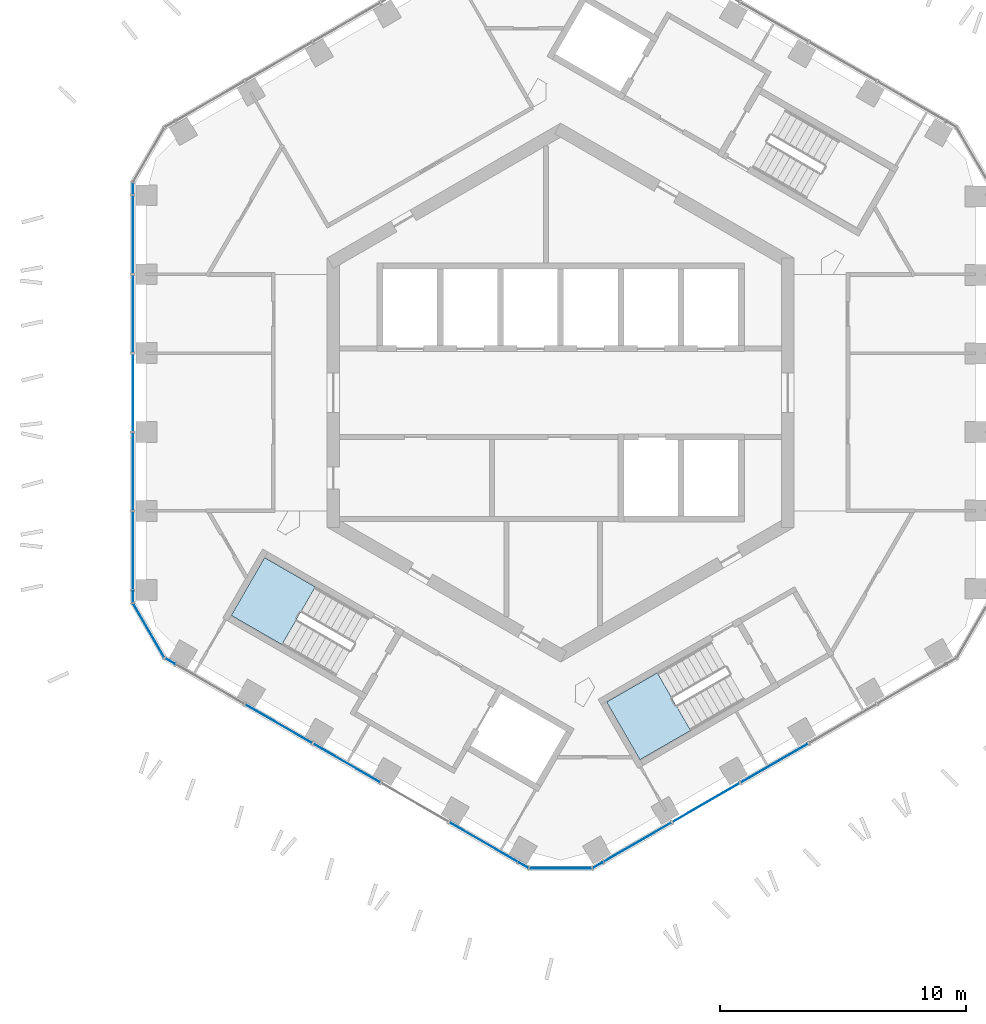
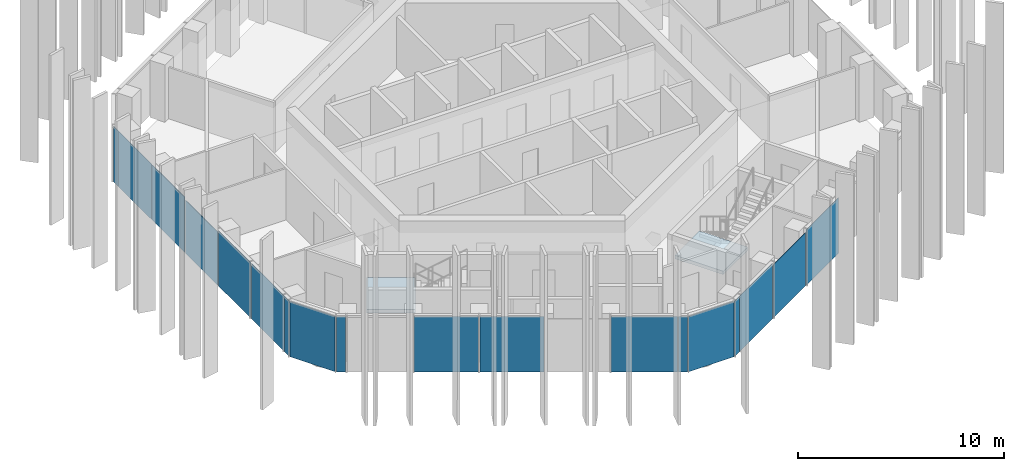
# One storey, part 8 of 18: 18 plates, 2 slabs, 8 elements without a shape of their own.
"""IFC4 building model written with IfcOpenShell, lengths in metres."""

from ifc_helpers import new_model, si_unit, direction, frame, origin, origin_2d, place, context, subcontext, project, spatial, polyline, rectangle, outline, extrude, material, layer, layer_set, type_object, element, aggregate, save


model = new_model("IFC4")

# Units and contexts
model_context = context("Model", 3, precision=1e-05, world=origin(), true_north=direction((0.0, 1.0)))
body_context = subcontext(model_context, "Body", "Model", "MODEL_VIEW")
ifc_project = project(units=[si_unit("LENGTHUNIT", "METRE"), si_unit("AREAUNIT", "SQUARE_METRE"), si_unit("VOLUMEUNIT", "CUBIC_METRE"), si_unit("PLANEANGLEUNIT", "RADIAN"), si_unit("MASSUNIT", "GRAM", prefix="KILO")], contexts=[model_context])

# Site, building, storey
site_placement = place(None, origin())
site = spatial("IfcSite", under=ifc_project, at=site_placement, CompositionType="ELEMENT")
building_placement = place(site_placement, origin())
building = spatial("IfcBuilding", under=site, at=building_placement, Name="Ayvan Gate Tower", CompositionType="ELEMENT")
storey_placement = place(building_placement, frame((0.0, 0.0, 218.89990234375)))
storey = spatial("IfcBuildingStorey", under=building, at=storey_placement, Name="L58", CompositionType="ELEMENT", Elevation=218.89990234375)

# Stair, slab
ifc_material_1 = material(Name="Concrete C40/50", Category="concrete")
stair_type = type_object("IfcStairType", Name="ST-EXIT", PredefinedType="HALF_TURN_STAIR", material=ifc_material_1)
stair_1_placement = place(storey_placement, origin())
stair_1 = element("IfcStair", 1, at=stair_1_placement, inside=storey, type_object=stair_type, Name="L58 Exit Stair S2", PredefinedType="HALF_TURN_STAIR")
ifc_layer_1 = layer(ifc_material_1, 0.199951171875)
ifc_layer_set_1 = layer_set([ifc_layer_1], Name="Concrete C40/50")
slab_type = type_object("IfcSlabType", Name="SL-LANDING-200", PredefinedType="LANDING", material=ifc_layer_set_1)
slab_1_placement = place(storey_placement, frame((0.0, 0.0, 1.5)))
slab_1 = element("IfcSlab", 2, at=slab_1_placement, type_object=slab_type, Name="STS2 landing 1", PredefinedType="LANDING", context=body_context, shape_type="SweptSolid", body=[
    extrude(outline(polyline([(-9.988525390625, -7.91064453125), (-12.049560546875, -6.720458984375), (-13.404541015625, -9.0673828125), (-11.343505859375, -10.257568359375), (-9.988525390625, -7.91064453125)])), origin(), (0.0, 0.0, 1.0), 0.2001953125),
])
aggregate(stair_1, [slab_1])

stair_2_placement = place(storey_placement, origin())
stair_2 = element("IfcStair", 3, at=stair_2_placement, inside=storey, type_object=stair_type, Name="L58 Exit Stair S3", PredefinedType="HALF_TURN_STAIR")
slab_2_placement = place(storey_placement, frame((0.0, 0.0, 1.5)))
slab_2 = element("IfcSlab", 4, at=slab_2_placement, type_object=slab_type, Name="STS3 landing 1", PredefinedType="LANDING", context=body_context, shape_type="SweptSolid", body=[
    extrude(outline(polyline([(3.93505859375, -11.405517578125), (1.873779296875, -12.595458984375), (3.228759765625, -14.9423828125), (5.2900390625, -13.75244140625), (3.93505859375, -11.405517578125)])), origin(), (0.0, 0.0, 1.0), 0.2001953125),
])
aggregate(stair_2, [slab_2])

# Curtain wall, plates
ifc_material_2 = material(Name="Bronze anodised aluminium", Category="aluminium")
ifc_layer_2 = layer(ifc_material_2, 0.199951171875)
ifc_layer_set_2 = layer_set([ifc_layer_2], Name="Bronze anodised aluminium")
curtain_wall_type_1 = type_object("IfcCurtainWallType", Name="Stick curtain wall CW-2", PredefinedType="NOTDEFINED", material=ifc_layer_set_2)
curtain_wall_1_placement = place(storey_placement, origin())
curtain_wall_1 = element("IfcCurtainWall", 5, at=curtain_wall_1_placement, inside=storey, type_object=curtain_wall_type_1, Name="Stick curtain wall CW-2 L58", PredefinedType="NOTDEFINED")
ifc_material_3 = material(Name="Clear low-iron laminated glass", Category="glass")
ifc_layer_3 = layer(ifc_material_3, 0.028076171875)
ifc_layer_set_3 = layer_set([ifc_layer_3], Name="Clear low-iron laminated glass")
plate_type_1 = type_object("IfcPlateType", Name="Stick curtain wall CW-2 glass panel", PredefinedType="CURTAIN_PANEL", material=ifc_layer_set_3)
plate_1_placement = place(storey_placement, frame((-17.41259765625, 6.4541015625, 0.0), z_axis=(0.0, 0.0, 1.0), x_axis=(0.0, -1.0, 0.0)))
plate_1 = element("IfcPlate", 6, at=plate_1_placement, type_object=plate_type_1, Name="CW-2 glass panel 1", PredefinedType="CURTAIN_PANEL", context=body_context, shape_type="SweptSolid", body=[
    extrude(rectangle(XDim=3.196044921875, YDim=0.028076171875, at=origin_2d()), origin(), (0.0, 0.0, 1.0), 3.280029296875),
])
plate_2_placement = place(storey_placement, frame((-17.41259765625, 3.214111328125, 0.0), z_axis=(0.0, 0.0, 1.0), x_axis=(0.0, -1.0, 0.0)))
plate_2 = element("IfcPlate", 7, at=plate_2_placement, type_object=plate_type_1, Name="CW-2 glass panel 2", PredefinedType="CURTAIN_PANEL", context=body_context, shape_type="SweptSolid", body=[
    extrude(rectangle(XDim=3.14404296875, YDim=0.028076171875, at=origin_2d()), origin(), (0.0, 0.0, 1.0), 3.280029296875),
])
plate_3_placement = place(storey_placement, frame((-17.41259765625, 0.0, 0.000244140625), z_axis=(0.0, 0.0, 1.0), x_axis=(0.0, -1.0, 0.0)))
plate_3 = element("IfcPlate", 8, at=plate_3_placement, type_object=plate_type_1, Name="CW-2 glass panel 3", PredefinedType="CURTAIN_PANEL", context=body_context, shape_type="SweptSolid", body=[
    extrude(rectangle(XDim=3.14404296875, YDim=0.028076171875, at=origin_2d()), origin(), (0.0, 0.0, 1.0), 3.14990234375),
])
plate_4_placement = place(storey_placement, frame((-17.41259765625, -3.2138671875, 0.0), z_axis=(0.0, 0.0, 1.0), x_axis=(0.0, -1.0, 0.0)))
plate_4 = element("IfcPlate", 9, at=plate_4_placement, type_object=plate_type_1, Name="CW-2 glass panel 4", PredefinedType="CURTAIN_PANEL", context=body_context, shape_type="SweptSolid", body=[
    extrude(rectangle(XDim=3.14404296875, YDim=0.028076171875, at=origin_2d()), origin(), (0.0, 0.0, 1.0), 3.280029296875),
])
plate_5_placement = place(storey_placement, frame((-17.41259765625, -6.4541015625, 0.0), z_axis=(0.0, 0.0, 1.0), x_axis=(0.0, -1.0, 0.0)))
plate_5 = element("IfcPlate", 10, at=plate_5_placement, type_object=plate_type_1, Name="CW-2 glass panel 5", PredefinedType="CURTAIN_PANEL", context=body_context, shape_type="SweptSolid", body=[
    extrude(rectangle(XDim=3.196044921875, YDim=0.028076171875, at=origin_2d()), origin(), (0.0, 0.0, 1.0), 3.280029296875),
])
aggregate(curtain_wall_1, [plate_1, plate_2, plate_3, plate_4, plate_5])

curtain_wall_2_placement = place(storey_placement, origin())
curtain_wall_2 = element("IfcCurtainWall", 11, at=curtain_wall_2_placement, inside=storey, type_object=curtain_wall_type_1, Name="Stick curtain wall CW-2 L58", PredefinedType="NOTDEFINED")
plate_6_placement = place(storey_placement, frame((-11.471923828125, -13.48291015625, 0.0), z_axis=(0.0, 0.0, 1.0), x_axis=(0.866025403784, -0.5, 0.0)))
plate_6 = element("IfcPlate", 12, at=plate_6_placement, type_object=plate_type_1, Name="CW-2 glass panel 2", PredefinedType="CURTAIN_PANEL", context=body_context, shape_type="SweptSolid", body=[
    extrude(rectangle(XDim=3.123046875, YDim=0.028076171875, at=origin_2d()), origin(), (0.0, 0.0, 1.0), 3.280029296875),
])
plate_7_placement = place(storey_placement, frame((-8.706298828125, -15.07958984375, 0.0), z_axis=(0.0, 0.0, 1.0), x_axis=(0.866025403784, -0.5, 0.0)))
plate_7 = element("IfcPlate", 13, at=plate_7_placement, type_object=plate_type_1, Name="CW-2 glass panel 3", PredefinedType="CURTAIN_PANEL", context=body_context, shape_type="SweptSolid", body=[
    extrude(rectangle(XDim=3.1240234375, YDim=0.028076171875, at=origin_2d()), origin(), (0.0, 0.0, 1.0), 3.280029296875),
])
plate_8_placement = place(storey_placement, frame((-3.13037109375, -18.298828125, 0.0), z_axis=(0.0, 0.0, 1.0), x_axis=(0.866025403784, -0.5, 0.0)))
plate_8 = element("IfcPlate", 14, at=plate_8_placement, type_object=plate_type_1, Name="CW-2 glass panel 5", PredefinedType="CURTAIN_PANEL", context=body_context, shape_type="SweptSolid", body=[
    extrude(rectangle(XDim=3.22705078125, YDim=0.028076171875, at=origin_2d()), origin(), (0.0, 0.0, 1.0), 3.280029296875),
])
aggregate(curtain_wall_2, [plate_6, plate_7, plate_8])

curtain_wall_3_placement = place(storey_placement, origin())
curtain_wall_3 = element("IfcCurtainWall", 15, at=curtain_wall_3_placement, inside=storey, type_object=curtain_wall_type_1, Name="Stick curtain wall CW-2 L58", PredefinedType="NOTDEFINED")
plate_9_placement = place(storey_placement, frame((3.116943359375, -18.306640625, 0.0), z_axis=(0.0, 0.0, 1.0), x_axis=(0.866025403784, 0.5, 0.0)))
plate_9 = element("IfcPlate", 16, at=plate_9_placement, type_object=plate_type_1, Name="CW-2 glass panel 1", PredefinedType="CURTAIN_PANEL", context=body_context, shape_type="SweptSolid", body=[
    extrude(rectangle(XDim=3.196044921875, YDim=0.028076171875, at=origin_2d()), origin(), (0.0, 0.0, 1.0), 3.280029296875),
])
plate_10_placement = place(storey_placement, frame((5.9228515625, -16.686767578125, 0.000244140625), z_axis=(0.0, 0.0, 1.0), x_axis=(0.866025403784, 0.5, 0.0)))
plate_10 = element("IfcPlate", 17, at=plate_10_placement, type_object=plate_type_1, Name="CW-2 glass panel 2", PredefinedType="CURTAIN_PANEL", context=body_context, shape_type="SweptSolid", body=[
    extrude(rectangle(XDim=3.14404296875, YDim=0.028076171875, at=origin_2d()), origin(), (0.0, 0.0, 1.0), 3.14990234375),
])
plate_11_placement = place(storey_placement, frame((8.706298828125, -15.07958984375, 0.0), z_axis=(0.0, 0.0, 1.0), x_axis=(0.866025403784, 0.5, 0.0)))
plate_11 = element("IfcPlate", 18, at=plate_11_placement, type_object=plate_type_1, Name="CW-2 glass panel 3", PredefinedType="CURTAIN_PANEL", context=body_context, shape_type="SweptSolid", body=[
    extrude(rectangle(XDim=3.14404296875, YDim=0.028076171875, at=origin_2d()), origin(), (0.0, 0.0, 1.0), 3.280029296875),
])
aggregate(curtain_wall_3, [plate_9, plate_10, plate_11])

# Curtain wall, plate
ifc_layer_4 = layer(ifc_material_2, 0.199951171875)
ifc_layer_set_4 = layer_set([ifc_layer_4], Name="Bronze anodised aluminium")
curtain_wall_type_2 = type_object("IfcCurtainWallType", Name="Stick curtain wall CW-6", PredefinedType="NOTDEFINED", material=ifc_layer_set_4)
curtain_wall_4_placement = place(storey_placement, origin())
curtain_wall_4 = element("IfcCurtainWall", 19, at=curtain_wall_4_placement, inside=storey, type_object=curtain_wall_type_2, Name="Stick curtain wall CW-6 L58", PredefinedType="NOTDEFINED")
ifc_layer_5 = layer(ifc_material_3, 0.028076171875)
ifc_layer_set_5 = layer_set([ifc_layer_5], Name="Clear low-iron laminated glass")
plate_type_2 = type_object("IfcPlateType", Name="Stick curtain wall CW-6 glass panel", PredefinedType="CURTAIN_PANEL", material=ifc_layer_set_5)
plate_12_placement = place(storey_placement, frame((-17.41259765625, 8.31201171875, 0.0), z_axis=(0.0, 0.0, 1.0), x_axis=(0.0, -1.0, 0.0)))
plate_12 = element("IfcPlate", 20, at=plate_12_placement, type_object=plate_type_2, Name="CW-6 glass panel 3", PredefinedType="CURTAIN_PANEL", context=body_context, shape_type="SweptSolid", body=[
    extrude(rectangle(XDim=0.449951171875, YDim=0.028076171875, at=origin_2d()), origin(), (0.0, 0.0, 1.0), 3.280029296875),
])
aggregate(curtain_wall_4, [plate_12])

# Curtain wall, plates
curtain_wall_5_placement = place(storey_placement, origin())
curtain_wall_5 = element("IfcCurtainWall", 21, at=curtain_wall_5_placement, inside=storey, type_object=curtain_wall_type_2, Name="Stick curtain wall CW-6 L58", PredefinedType="NOTDEFINED")
plate_13_placement = place(storey_placement, frame((-17.41259765625, -8.31201171875, 0.0), z_axis=(0.0, 0.0, 1.0), x_axis=(0.0, -1.0, 0.0)))
plate_13 = element("IfcPlate", 22, at=plate_13_placement, type_object=plate_type_2, Name="CW-6 glass panel 1", PredefinedType="CURTAIN_PANEL", context=body_context, shape_type="SweptSolid", body=[
    extrude(rectangle(XDim=0.449951171875, YDim=0.028076171875, at=origin_2d()), origin(), (0.0, 0.0, 1.0), 3.280029296875),
])
plate_14_placement = place(storey_placement, frame((-16.766845703125, -9.680419921875, 0.0), z_axis=(0.0, 0.0, 1.0), x_axis=(0.5, -0.866025403784, 0.0)))
plate_14 = element("IfcPlate", 23, at=plate_14_placement, type_object=plate_type_2, Name="CW-6 glass panel 2", PredefinedType="CURTAIN_PANEL", context=body_context, shape_type="SweptSolid", body=[
    extrude(rectangle(XDim=2.532470703125, YDim=0.028076171875, at=origin_2d()), origin(), (0.0, 0.0, 1.0), 3.280029296875),
])
plate_15_placement = place(storey_placement, frame((-15.90478515625, -10.923583984375, 0.0), z_axis=(0.0, 0.0, 1.0), x_axis=(0.866025403784, -0.5, 0.0)))
plate_15 = element("IfcPlate", 24, at=plate_15_placement, type_object=plate_type_2, Name="CW-6 glass panel 3", PredefinedType="CURTAIN_PANEL", context=body_context, shape_type="SweptSolid", body=[
    extrude(rectangle(XDim=0.449951171875, YDim=0.028076171875, at=origin_2d()), origin(), (0.0, 0.0, 1.0), 3.280029296875),
])
aggregate(curtain_wall_5, [plate_13, plate_14, plate_15])

curtain_wall_6_placement = place(storey_placement, origin())
curtain_wall_6 = element("IfcCurtainWall", 25, at=curtain_wall_6_placement, inside=storey, type_object=curtain_wall_type_2, Name="Stick curtain wall CW-6 L58", PredefinedType="NOTDEFINED")
plate_16_placement = place(storey_placement, frame((-1.5078125, -19.235595703125, 0.0), z_axis=(0.0, 0.0, 1.0), x_axis=(0.866025403784, -0.5, 0.0)))
plate_16 = element("IfcPlate", 26, at=plate_16_placement, type_object=plate_type_2, Name="CW-6 glass panel 1", PredefinedType="CURTAIN_PANEL", context=body_context, shape_type="SweptSolid", body=[
    extrude(rectangle(XDim=0.449951171875, YDim=0.028076171875, at=origin_2d()), origin(), (0.0, 0.0, 1.0), 3.280029296875),
])
plate_17_placement = place(storey_placement, frame((0.0, -19.360595703125, 0.0), z_axis=(0.0, 0.0, 1.0), x_axis=(1.0, 0.0, 0.0)))
plate_17 = element("IfcPlate", 27, at=plate_17_placement, type_object=plate_type_2, Name="CW-6 glass panel 2", PredefinedType="CURTAIN_PANEL", context=body_context, shape_type="SweptSolid", body=[
    extrude(rectangle(XDim=2.532470703125, YDim=0.028076171875, at=origin_2d()), origin(), (0.0, 0.0, 1.0), 3.280029296875),
])
plate_18_placement = place(storey_placement, frame((1.5078125, -19.235595703125, 0.0), z_axis=(0.0, 0.0, 1.0), x_axis=(0.866025403784, 0.5, 0.0)))
plate_18 = element("IfcPlate", 28, at=plate_18_placement, type_object=plate_type_2, Name="CW-6 glass panel 3", PredefinedType="CURTAIN_PANEL", context=body_context, shape_type="SweptSolid", body=[
    extrude(rectangle(XDim=0.449951171875, YDim=0.028076171875, at=origin_2d()), origin(), (0.0, 0.0, 1.0), 3.280029296875),
])
aggregate(curtain_wall_6, [plate_16, plate_17, plate_18])

save(model, "model.ifc")
